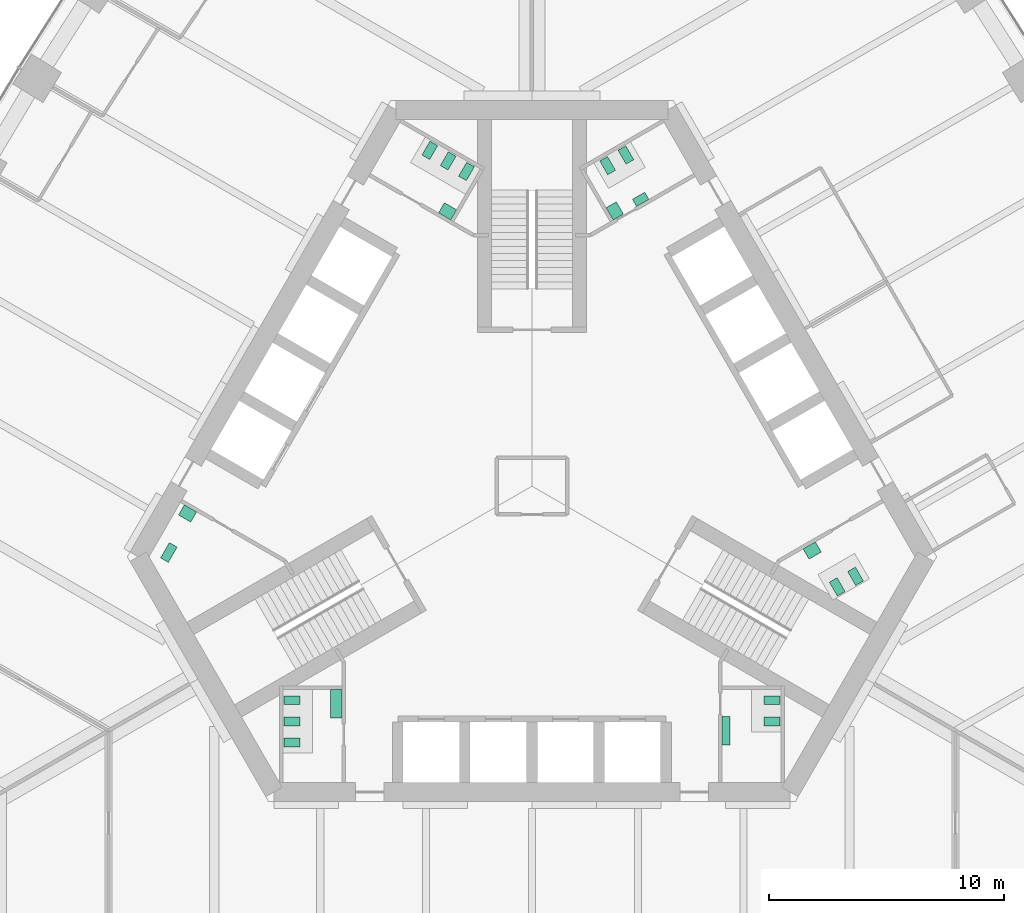
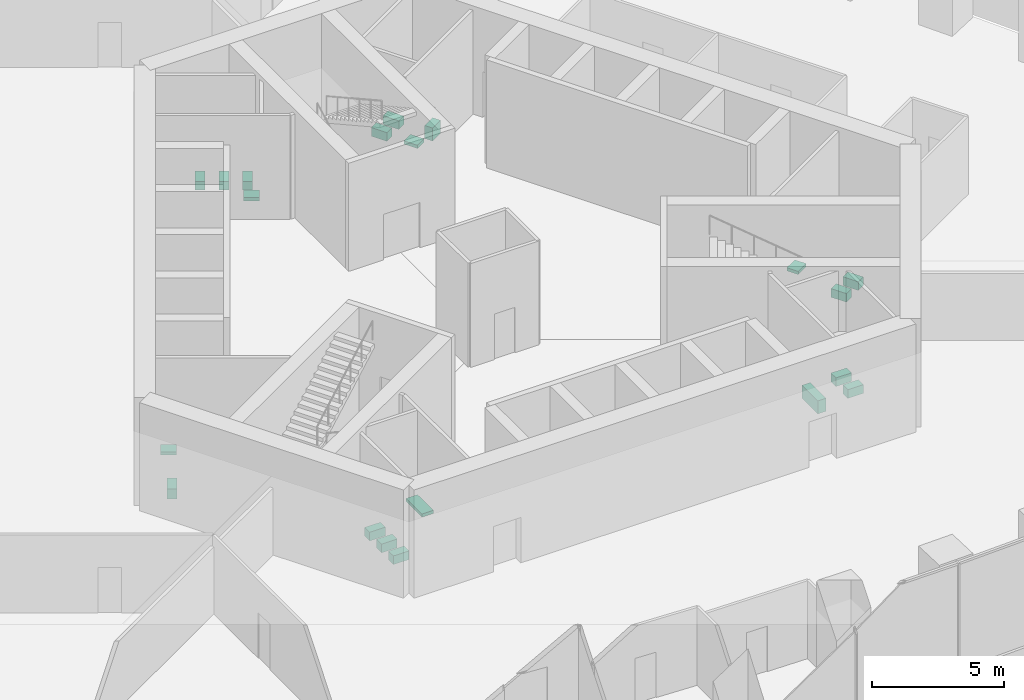
# One storey, part 20 of 21: 20 sanitary terminals.
"""IFC4 building model written with IfcOpenShell, lengths in metres."""

from ifc_helpers import new_model, si_unit, direction, frame, origin, place, context, subcontext, project, spatial, polyline, outline, extrude, material, type_object, element, save


model = new_model("IFC4")

# Units and contexts
model_context = context("Model", 3, precision=1e-05, world=origin(), true_north=direction((0.0, 1.0)))
body_context = subcontext(model_context, "Body", "Model", "MODEL_VIEW")
ifc_project = project(units=[si_unit("LENGTHUNIT", "METRE"), si_unit("AREAUNIT", "SQUARE_METRE"), si_unit("VOLUMEUNIT", "CUBIC_METRE"), si_unit("PLANEANGLEUNIT", "RADIAN"), si_unit("MASSUNIT", "GRAM", prefix="KILO")], contexts=[model_context])

# Site, building, storey
site_placement = place(None, origin())
site = spatial("IfcSite", under=ifc_project, at=site_placement, CompositionType="ELEMENT")
building_placement = place(site_placement, origin())
building = spatial("IfcBuilding", under=site, at=building_placement, Name="Trefoil Bronze Tower", CompositionType="ELEMENT")
storey_placement = place(building_placement, frame((0.0, 0.0, 11.5)))
storey = spatial("IfcBuildingStorey", under=building, at=storey_placement, Name="L02", CompositionType="ELEMENT", Elevation=11.5)

# Sanitary terminals
ifc_material_1 = material(Name="Vitreous china", Category="ceramic")
sanitary_terminal_type_1 = type_object("IfcSanitaryTerminalType", Name="Accessible WC pan", PredefinedType="TOILETPAN", material=ifc_material_1)
sanitary_terminal_1_placement = place(storey_placement, origin())
element("IfcSanitaryTerminal", 1, at=sanitary_terminal_1_placement, inside=storey, type_object=sanitary_terminal_type_1, Name="WC pan 1 Accessible WC L02", PredefinedType="TOILETPAN", context=body_context, shape_type="SweptSolid", body=[
    extrude(outline(polyline([(-15.085693359375, -2.589111328125), (-15.460693359375, -3.238525390625), (-15.789794921875, -3.048583984375), (-15.414794921875, -2.399169921875), (-15.085693359375, -2.589111328125)])), origin(), (0.0, 0.0, 1.0), 0.449951171875),
])
ifc_material_2 = material(Name="Vitreous china", Category="ceramic")
sanitary_terminal_type_2 = type_object("IfcSanitaryTerminalType", Name="Accessible basin", PredefinedType="WASHHANDBASIN", material=ifc_material_2)
sanitary_terminal_2_placement = place(storey_placement, frame((0.0, 0.0, 0.64990234375)))
element("IfcSanitaryTerminal", 2, at=sanitary_terminal_2_placement, inside=storey, type_object=sanitary_terminal_type_2, Name="Wash basin Accessible WC L02", PredefinedType="WASHHANDBASIN", context=body_context, shape_type="SweptSolid", body=[
    extrude(outline(polyline([(-14.256591796875, -1.09326171875), (-14.506591796875, -1.526123046875), (-15.026123046875, -1.22607421875), (-14.776123046875, -0.793212890625), (-14.256591796875, -1.09326171875)])), origin(), (0.0, 0.0, 1.0), 0.150146484375),
])
ifc_material_3 = material(Name="Vitreous china", Category="ceramic")
sanitary_terminal_type_3 = type_object("IfcSanitaryTerminalType", Name="Urinal range 1 urinals", PredefinedType="URINAL", material=ifc_material_3)
sanitary_terminal_3_placement = place(storey_placement, frame((0.0, 0.0, 0.39990234375)))
element("IfcSanitaryTerminal", 3, at=sanitary_terminal_3_placement, inside=storey, type_object=sanitary_terminal_type_3, Name="Urinal range WC (men) L02", PredefinedType="URINAL", context=body_context, shape_type="SweptSolid", body=[
    extrude(outline(polyline([(4.449462890625, 11.89306640625), (4.274658203125, 12.1962890625), (4.794189453125, 12.496337890625), (4.96923828125, 12.193115234375), (4.449462890625, 11.89306640625)])), origin(), (0.0, 0.0, 1.0), 0.60009765625),
])
ifc_material_4 = material(Name="Vitreous china", Category="ceramic")
sanitary_terminal_type_4 = type_object("IfcSanitaryTerminalType", Name="Urinal range 2 urinals", PredefinedType="URINAL", material=ifc_material_4)
sanitary_terminal_4_placement = place(storey_placement, frame((0.0, 0.0, 0.39990234375)))
element("IfcSanitaryTerminal", 4, at=sanitary_terminal_4_placement, inside=storey, type_object=sanitary_terminal_type_4, Name="Urinal range WC (men) L02", PredefinedType="URINAL", context=body_context, shape_type="SweptSolid", body=[
    extrude(outline(polyline([(8.074951171875, -9.800048828125), (8.425048828125, -9.800048828125), (8.425048828125, -11.0), (8.074951171875, -11.0), (8.074951171875, -9.800048828125)])), origin(), (0.0, 0.0, 1.0), 0.60009765625),
])
ifc_material_5 = material(Name="Solid surface vanity", Category="plastic")
sanitary_terminal_type_5 = type_object("IfcSanitaryTerminalType", Name="Vanity unit 1 basins", PredefinedType="WASHHANDBASIN", material=ifc_material_5)
sanitary_terminal_5_placement = place(storey_placement, frame((0.0, 0.0, 0.75)))
element("IfcSanitaryTerminal", 5, at=sanitary_terminal_5_placement, inside=storey, type_object=sanitary_terminal_type_5, Name="Vanity unit WC (women) L02", PredefinedType="WASHHANDBASIN", context=body_context, shape_type="SweptSolid", body=[
    extrude(outline(polyline([(11.528564453125, -2.668212890625), (11.778564453125, -3.10107421875), (12.29833984375, -2.80126953125), (12.04833984375, -2.3681640625), (11.528564453125, -2.668212890625)])), origin(), (0.0, 0.0, 1.0), 0.14990234375),
])
sanitary_terminal_6_placement = place(storey_placement, frame((0.0, 0.0, 0.75)))
element("IfcSanitaryTerminal", 6, at=sanitary_terminal_6_placement, inside=storey, type_object=sanitary_terminal_type_5, Name="Vanity unit WC (men) L02", PredefinedType="WASHHANDBASIN", context=body_context, shape_type="SweptSolid", body=[
    extrude(outline(polyline([(3.45361328125, 11.318115234375), (3.153564453125, 11.837890625), (3.586669921875, 12.087890625), (3.88671875, 11.568115234375), (3.45361328125, 11.318115234375)])), origin(), (0.0, 0.0, 1.0), 0.14990234375),
])
sanitary_terminal_7_placement = place(storey_placement, frame((0.0, 0.0, 0.75)))
element("IfcSanitaryTerminal", 7, at=sanitary_terminal_7_placement, inside=storey, type_object=sanitary_terminal_type_5, Name="Vanity unit WC (women) L02", PredefinedType="WASHHANDBASIN", context=body_context, shape_type="SweptSolid", body=[
    extrude(outline(polyline([(-3.45361328125, 11.318115234375), (-3.20361328125, 11.751220703125), (-3.72314453125, 12.05126953125), (-3.97314453125, 11.6181640625), (-3.45361328125, 11.318115234375)])), origin(), (0.0, 0.0, 1.0), 0.14990234375),
])
ifc_material_6 = material(Name="Solid surface vanity", Category="plastic")
sanitary_terminal_type_6 = type_object("IfcSanitaryTerminalType", Name="Vanity unit 2 basins", PredefinedType="WASHHANDBASIN", material=ifc_material_6)
sanitary_terminal_8_placement = place(storey_placement, frame((0.0, 0.0, 0.75)))
element("IfcSanitaryTerminal", 8, at=sanitary_terminal_8_placement, inside=storey, type_object=sanitary_terminal_type_6, Name="Vanity unit WC (women) L02", PredefinedType="WASHHANDBASIN", context=body_context, shape_type="SweptSolid", body=[
    extrude(outline(polyline([(-8.074951171875, -8.64990234375), (-8.574951171875, -8.64990234375), (-8.574951171875, -9.85009765625), (-8.074951171875, -9.85009765625), (-8.074951171875, -8.64990234375)])), origin(), (0.0, 0.0, 1.0), 0.14990234375),
])
ifc_material_7 = material(Name="Vitreous china", Category="ceramic")
sanitary_terminal_type_7 = type_object("IfcSanitaryTerminalType", Name="WC pan", PredefinedType="TOILETPAN", material=ifc_material_7)
sanitary_terminal_9_placement = place(storey_placement, origin())
element("IfcSanitaryTerminal", 9, at=sanitary_terminal_9_placement, inside=storey, type_object=sanitary_terminal_type_7, Name="WC pan 1 WC (men) L02", PredefinedType="TOILETPAN", context=body_context, shape_type="SweptSolid", body=[
    extrude(outline(polyline([(9.85498046875, -8.909912109375), (10.534912109375, -8.909912109375), (10.534912109375, -9.2900390625), (9.85498046875, -9.2900390625), (9.85498046875, -8.909912109375)])), origin(), (0.0, 0.0, 1.0), 0.39990234375),
])
sanitary_terminal_10_placement = place(storey_placement, origin())
element("IfcSanitaryTerminal", 10, at=sanitary_terminal_10_placement, inside=storey, type_object=sanitary_terminal_type_7, Name="WC pan 2 WC (men) L02", PredefinedType="TOILETPAN", context=body_context, shape_type="SweptSolid", body=[
    extrude(outline(polyline([(9.85498046875, -9.81005859375), (10.534912109375, -9.81005859375), (10.534912109375, -10.18994140625), (9.85498046875, -10.18994140625), (9.85498046875, -9.81005859375)])), origin(), (0.0, 0.0, 1.0), 0.39990234375),
])
sanitary_terminal_11_placement = place(storey_placement, origin())
element("IfcSanitaryTerminal", 11, at=sanitary_terminal_11_placement, inside=storey, type_object=sanitary_terminal_type_7, Name="WC pan 1 WC (women) L02", PredefinedType="TOILETPAN", context=body_context, shape_type="SweptSolid", body=[
    extrude(outline(polyline([(12.643798828125, -4.07958984375), (12.98388671875, -4.66845703125), (13.31298828125, -4.478515625), (12.972900390625, -3.8896484375), (12.643798828125, -4.07958984375)])), origin(), (0.0, 0.0, 1.0), 0.39990234375),
])
sanitary_terminal_12_placement = place(storey_placement, origin())
element("IfcSanitaryTerminal", 12, at=sanitary_terminal_12_placement, inside=storey, type_object=sanitary_terminal_type_7, Name="WC pan 2 WC (women) L02", PredefinedType="TOILETPAN", context=body_context, shape_type="SweptSolid", body=[
    extrude(outline(polyline([(13.423095703125, -3.629638671875), (13.76318359375, -4.218505859375), (14.09228515625, -4.028564453125), (13.752197265625, -3.439697265625), (13.423095703125, -3.629638671875)])), origin(), (0.0, 0.0, 1.0), 0.39990234375),
])
sanitary_terminal_13_placement = place(storey_placement, origin())
element("IfcSanitaryTerminal", 13, at=sanitary_terminal_13_placement, inside=storey, type_object=sanitary_terminal_type_7, Name="WC pan 1 WC (men) L02", PredefinedType="TOILETPAN", context=body_context, shape_type="SweptSolid", body=[
    extrude(outline(polyline([(3.2216796875, 13.23974609375), (2.8818359375, 13.82861328125), (3.2109375, 14.0185546875), (3.55078125, 13.4296875), (3.2216796875, 13.23974609375)])), origin(), (0.0, 0.0, 1.0), 0.39990234375),
])
sanitary_terminal_14_placement = place(storey_placement, origin())
element("IfcSanitaryTerminal", 14, at=sanitary_terminal_14_placement, inside=storey, type_object=sanitary_terminal_type_7, Name="WC pan 2 WC (men) L02", PredefinedType="TOILETPAN", context=body_context, shape_type="SweptSolid", body=[
    extrude(outline(polyline([(4.001220703125, 13.689697265625), (3.6611328125, 14.278564453125), (3.990234375, 14.468505859375), (4.330322265625, 13.879638671875), (4.001220703125, 13.689697265625)])), origin(), (0.0, 0.0, 1.0), 0.39990234375),
])
sanitary_terminal_15_placement = place(storey_placement, origin())
element("IfcSanitaryTerminal", 15, at=sanitary_terminal_15_placement, inside=storey, type_object=sanitary_terminal_type_7, Name="WC pan 1 WC (women) L02", PredefinedType="TOILETPAN", context=body_context, shape_type="SweptSolid", body=[
    extrude(outline(polyline([(-2.788818359375, 12.98974609375), (-2.44873046875, 13.57861328125), (-2.77783203125, 13.7685546875), (-3.117919921875, 13.1796875), (-2.788818359375, 12.98974609375)])), origin(), (0.0, 0.0, 1.0), 0.39990234375),
])
sanitary_terminal_16_placement = place(storey_placement, origin())
element("IfcSanitaryTerminal", 16, at=sanitary_terminal_16_placement, inside=storey, type_object=sanitary_terminal_type_7, Name="WC pan 2 WC (women) L02", PredefinedType="TOILETPAN", context=body_context, shape_type="SweptSolid", body=[
    extrude(outline(polyline([(-3.568115234375, 13.439697265625), (-3.228271484375, 14.028564453125), (-3.557373046875, 14.218505859375), (-3.897216796875, 13.629638671875), (-3.568115234375, 13.439697265625)])), origin(), (0.0, 0.0, 1.0), 0.39990234375),
])
sanitary_terminal_17_placement = place(storey_placement, origin())
element("IfcSanitaryTerminal", 17, at=sanitary_terminal_17_placement, inside=storey, type_object=sanitary_terminal_type_7, Name="WC pan 3 WC (women) L02", PredefinedType="TOILETPAN", context=body_context, shape_type="SweptSolid", body=[
    extrude(outline(polyline([(-4.34765625, 13.8896484375), (-4.007568359375, 14.478515625), (-4.336669921875, 14.66845703125), (-4.6767578125, 14.07958984375), (-4.34765625, 13.8896484375)])), origin(), (0.0, 0.0, 1.0), 0.39990234375),
])
sanitary_terminal_18_placement = place(storey_placement, origin())
element("IfcSanitaryTerminal", 18, at=sanitary_terminal_18_placement, inside=storey, type_object=sanitary_terminal_type_7, Name="WC pan 1 WC (women) L02", PredefinedType="TOILETPAN", context=body_context, shape_type="SweptSolid", body=[
    extrude(outline(polyline([(-9.85498046875, -8.909912109375), (-10.534912109375, -8.909912109375), (-10.534912109375, -9.2900390625), (-9.85498046875, -9.2900390625), (-9.85498046875, -8.909912109375)])), origin(), (0.0, 0.0, 1.0), 0.39990234375),
])
sanitary_terminal_19_placement = place(storey_placement, origin())
element("IfcSanitaryTerminal", 19, at=sanitary_terminal_19_placement, inside=storey, type_object=sanitary_terminal_type_7, Name="WC pan 2 WC (women) L02", PredefinedType="TOILETPAN", context=body_context, shape_type="SweptSolid", body=[
    extrude(outline(polyline([(-9.85498046875, -9.81005859375), (-10.534912109375, -9.81005859375), (-10.534912109375, -10.18994140625), (-9.85498046875, -10.18994140625), (-9.85498046875, -9.81005859375)])), origin(), (0.0, 0.0, 1.0), 0.39990234375),
])
sanitary_terminal_20_placement = place(storey_placement, origin())
element("IfcSanitaryTerminal", 20, at=sanitary_terminal_20_placement, inside=storey, type_object=sanitary_terminal_type_7, Name="WC pan 3 WC (women) L02", PredefinedType="TOILETPAN", context=body_context, shape_type="SweptSolid", body=[
    extrude(outline(polyline([(-9.85498046875, -10.7099609375), (-10.534912109375, -10.7099609375), (-10.534912109375, -11.090087890625), (-9.85498046875, -11.090087890625), (-9.85498046875, -10.7099609375)])), origin(), (0.0, 0.0, 1.0), 0.39990234375),
])

save(model, "model.ifc")
